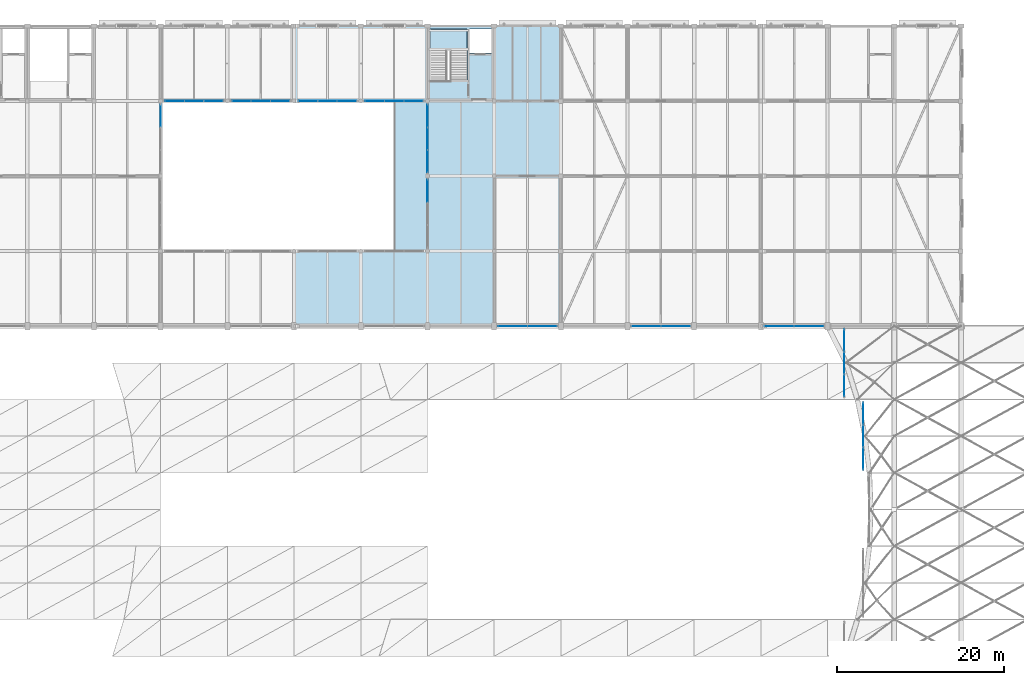
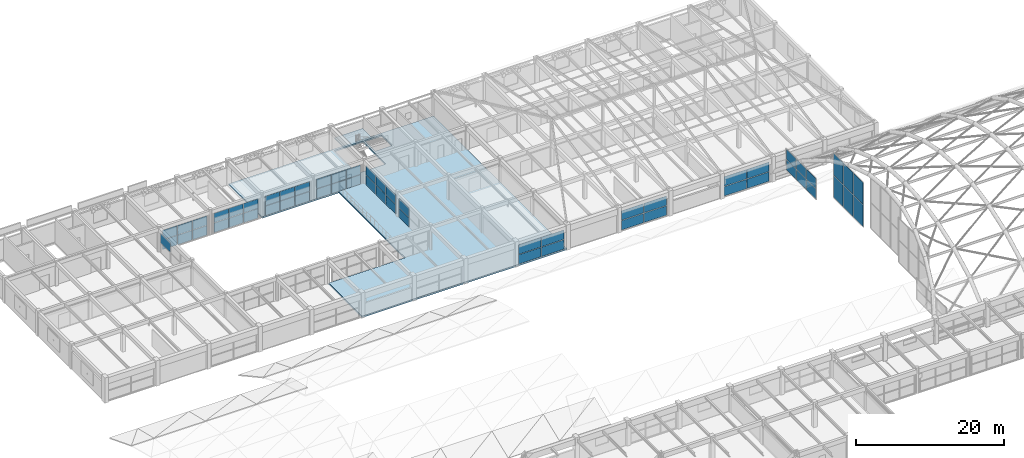
# One storey, part 89 of 126: 57 plates, 2 slabs, 13 elements without a shape of their own.
"""IFC4 building model written with IfcOpenShell, lengths in metres."""

from ifc_helpers import new_model, si_unit, direction, frame, origin, origin_2d, place, context, subcontext, project, spatial, polyline, rectangle, outline, extrude, material, layer, layer_set, type_object, element, aggregate, save


model = new_model("IFC4")

# Units and contexts
model_context = context("Model", 3, precision=1e-05, world=origin(), true_north=direction((0.0, 1.0)))
body_context = subcontext(model_context, "Body", "Model", "MODEL_VIEW")
ifc_project = project(units=[si_unit("LENGTHUNIT", "METRE"), si_unit("AREAUNIT", "SQUARE_METRE"), si_unit("VOLUMEUNIT", "CUBIC_METRE"), si_unit("PLANEANGLEUNIT", "RADIAN"), si_unit("MASSUNIT", "GRAM", prefix="KILO")], contexts=[model_context])

# Site, building, storey
site_placement = place(None, origin())
site = spatial("IfcSite", under=ifc_project, at=site_placement, CompositionType="ELEMENT")
building_placement = place(site_placement, origin())
building = spatial("IfcBuilding", under=site, at=building_placement, Name="Varnabhumi Central Station", CompositionType="ELEMENT")
storey_placement = place(building_placement, frame((0.0, 0.0, 16.199951171875)))
storey = spatial("IfcBuildingStorey", under=building, at=storey_placement, Name="L03", CompositionType="ELEMENT", Elevation=16.199951171875)

# Curtain wall, plates
ifc_material_1 = material(Name="Anodised aluminium 6063-T6", Category="aluminium")
curtain_wall_type_1 = type_object("IfcCurtainWallType", Name="CW-VAULT-ARCH-V5", PredefinedType="NOTDEFINED", material=ifc_material_1)
curtain_wall_1_placement = place(storey_placement, origin())
curtain_wall_1 = element("IfcCurtainWall", 1, at=curtain_wall_1_placement, inside=storey, type_object=curtain_wall_type_1, Name="Curtain Wall CW-V54", PredefinedType="NOTDEFINED")
ifc_material_2 = material(Name="Laminated low-E double glazing", Category="glass")
ifc_layer_1 = layer(ifc_material_2, 0.035888671875, Name="Laminated low-E double glazing", Category="glass")
ifc_layer_set_1 = layer_set([ifc_layer_1], Name="Laminated low-E double glazing")
plate_type_1 = type_object("IfcPlateType", Name="CW-PNL-GLZ-1", PredefinedType="CURTAIN_PANEL", material=ifc_layer_set_1)
plate_1_placement = place(storey_placement, frame((132.284912109375, 64.10009765625, 1.2900390625), z_axis=(0.0, 0.0, 1.0), x_axis=(0.0, 1.0, 0.0)))
plate_1 = element("IfcPlate", 2, at=plate_1_placement, type_object=plate_type_1, Name="Glazed Panel CW-V54-P11", PredefinedType="CURTAIN_PANEL", context=body_context, shape_type="SweptSolid", body=[
    extrude(rectangle(XDim=2.6201171875, YDim=0.035888671875, at=origin_2d()), origin(), (0.0, 0.0, 1.0), 3.595458984375),
])
plate_2_placement = place(storey_placement, frame((132.284912109375, 64.10009765625, 4.96533203125), z_axis=(0.0, 0.0, 1.0), x_axis=(0.0, 1.0, 0.0)))
plate_2 = element("IfcPlate", 3, at=plate_2_placement, type_object=plate_type_1, Name="Glazed Panel CW-V54-P12", PredefinedType="CURTAIN_PANEL", context=body_context, shape_type="SweptSolid", body=[
    extrude(rectangle(XDim=2.6201171875, YDim=0.035888671875, at=origin_2d()), origin(), (0.0, 0.0, 1.0), 3.595458984375),
])
plate_3_placement = place(storey_placement, frame((132.284912109375, 66.800048828125, 1.2900390625), z_axis=(0.0, 0.0, 1.0), x_axis=(0.0, 1.0, 0.0)))
plate_3 = element("IfcPlate", 4, at=plate_3_placement, type_object=plate_type_1, Name="Glazed Panel CW-V54-P21", PredefinedType="CURTAIN_PANEL", context=body_context, shape_type="SweptSolid", body=[
    extrude(rectangle(XDim=2.6201171875, YDim=0.035888671875, at=origin_2d()), origin(), (0.0, 0.0, 1.0), 3.595458984375),
])
plate_4_placement = place(storey_placement, frame((132.284912109375, 66.800048828125, 4.96533203125), z_axis=(0.0, 0.0, 1.0), x_axis=(0.0, 1.0, 0.0)))
plate_4 = element("IfcPlate", 5, at=plate_4_placement, type_object=plate_type_1, Name="Glazed Panel CW-V54-P22", PredefinedType="CURTAIN_PANEL", context=body_context, shape_type="SweptSolid", body=[
    extrude(rectangle(XDim=2.6201171875, YDim=0.035888671875, at=origin_2d()), origin(), (0.0, 0.0, 1.0), 3.595458984375),
])
plate_5_placement = place(storey_placement, frame((132.284912109375, 69.5, 1.2900390625), z_axis=(0.0, 0.0, 1.0), x_axis=(0.0, 1.0, 0.0)))
plate_5 = element("IfcPlate", 6, at=plate_5_placement, type_object=plate_type_1, Name="Glazed Panel CW-V54-P31", PredefinedType="CURTAIN_PANEL", context=body_context, shape_type="SweptSolid", body=[
    extrude(rectangle(XDim=2.6201171875, YDim=0.035888671875, at=origin_2d()), origin(), (0.0, 0.0, 1.0), 3.595458984375),
])
plate_6_placement = place(storey_placement, frame((132.284912109375, 69.5, 4.96533203125), z_axis=(0.0, 0.0, 1.0), x_axis=(0.0, 1.0, 0.0)))
plate_6 = element("IfcPlate", 7, at=plate_6_placement, type_object=plate_type_1, Name="Glazed Panel CW-V54-P32", PredefinedType="CURTAIN_PANEL", context=body_context, shape_type="SweptSolid", body=[
    extrude(rectangle(XDim=2.6201171875, YDim=0.035888671875, at=origin_2d()), origin(), (0.0, 0.0, 1.0), 3.595458984375),
])
aggregate(curtain_wall_1, [plate_1, plate_2, plate_3, plate_4, plate_5, plate_6])

curtain_wall_2_placement = place(storey_placement, origin())
curtain_wall_2 = element("IfcCurtainWall", 8, at=curtain_wall_2_placement, inside=storey, type_object=curtain_wall_type_1, Name="Curtain Wall CW-V55", PredefinedType="NOTDEFINED")
plate_7_placement = place(storey_placement, frame((130.007080078125, 72.89990234375, 1.2900390625), z_axis=(0.0, 0.0, 1.0), x_axis=(0.0, 1.0, 0.0)))
plate_7 = element("IfcPlate", 9, at=plate_7_placement, type_object=plate_type_1, Name="Glazed Panel CW-V55-P11", PredefinedType="CURTAIN_PANEL", context=body_context, shape_type="SweptSolid", body=[
    extrude(rectangle(XDim=2.6201171875, YDim=0.035888671875, at=origin_2d()), origin(), (0.0, 0.0, 1.0), 1.668212890625),
])
plate_8_placement = place(storey_placement, frame((130.007080078125, 72.89990234375, 3.03857421875), z_axis=(0.0, 0.0, 1.0), x_axis=(0.0, 1.0, 0.0)))
plate_8 = element("IfcPlate", 10, at=plate_8_placement, type_object=plate_type_1, Name="Glazed Panel CW-V55-P12", PredefinedType="CURTAIN_PANEL", context=body_context, shape_type="SweptSolid", body=[
    extrude(rectangle(XDim=2.6201171875, YDim=0.035888671875, at=origin_2d()), origin(), (0.0, 0.0, 1.0), 1.668212890625),
])
plate_9_placement = place(storey_placement, frame((130.007080078125, 75.60009765625, 1.2900390625), z_axis=(0.0, 0.0, 1.0), x_axis=(0.0, 1.0, 0.0)))
plate_9 = element("IfcPlate", 11, at=plate_9_placement, type_object=plate_type_1, Name="Glazed Panel CW-V55-P21", PredefinedType="CURTAIN_PANEL", context=body_context, shape_type="SweptSolid", body=[
    extrude(rectangle(XDim=2.6201171875, YDim=0.035888671875, at=origin_2d()), origin(), (0.0, 0.0, 1.0), 1.668212890625),
])
plate_10_placement = place(storey_placement, frame((130.007080078125, 75.60009765625, 3.03857421875), z_axis=(0.0, 0.0, 1.0), x_axis=(0.0, 1.0, 0.0)))
plate_10 = element("IfcPlate", 12, at=plate_10_placement, type_object=plate_type_1, Name="Glazed Panel CW-V55-P22", PredefinedType="CURTAIN_PANEL", context=body_context, shape_type="SweptSolid", body=[
    extrude(rectangle(XDim=2.6201171875, YDim=0.035888671875, at=origin_2d()), origin(), (0.0, 0.0, 1.0), 1.668212890625),
])
plate_11_placement = place(storey_placement, frame((130.007080078125, 78.300048828125, 1.2900390625), z_axis=(0.0, 0.0, 1.0), x_axis=(0.0, 1.0, 0.0)))
plate_11 = element("IfcPlate", 13, at=plate_11_placement, type_object=plate_type_1, Name="Glazed Panel CW-V55-P31", PredefinedType="CURTAIN_PANEL", context=body_context, shape_type="SweptSolid", body=[
    extrude(rectangle(XDim=2.6201171875, YDim=0.035888671875, at=origin_2d()), origin(), (0.0, 0.0, 1.0), 1.668212890625),
])
plate_12_placement = place(storey_placement, frame((130.007080078125, 78.300048828125, 3.03857421875), z_axis=(0.0, 0.0, 1.0), x_axis=(0.0, 1.0, 0.0)))
plate_12 = element("IfcPlate", 14, at=plate_12_placement, type_object=plate_type_1, Name="Glazed Panel CW-V55-P32", PredefinedType="CURTAIN_PANEL", context=body_context, shape_type="SweptSolid", body=[
    extrude(rectangle(XDim=2.6201171875, YDim=0.035888671875, at=origin_2d()), origin(), (0.0, 0.0, 1.0), 1.668212890625),
])
aggregate(curtain_wall_2, [plate_7, plate_8, plate_9, plate_10, plate_11, plate_12])

curtain_wall_type_2 = type_object("IfcCurtainWallType", Name="CW-PATIO-LOGGIA-L3", PredefinedType="NOTDEFINED", material=ifc_material_1)
curtain_wall_3_placement = place(storey_placement, origin())
curtain_wall_3 = element("IfcCurtainWall", 15, at=curtain_wall_3_placement, inside=storey, type_object=curtain_wall_type_2, Name="Curtain Wall CW-NP3W1", PredefinedType="NOTDEFINED")
ifc_layer_2 = layer(ifc_material_2, 0.035888671875, Name="Laminated low-E double glazing", Category="glass")
ifc_layer_set_2 = layer_set([ifc_layer_2], Name="Laminated low-E double glazing")
plate_type_2 = type_object("IfcPlateType", Name="CW-PNL-GLZ-2", PredefinedType="CURTAIN_PANEL", material=ifc_layer_set_2)
plate_13_placement = place(storey_placement, frame((80.0, 96.219970703125, 0.0400390625), z_axis=(0.0, 0.0, 1.0), x_axis=(0.0, 1.0, 0.0)))
plate_13 = element("IfcPlate", 16, at=plate_13_placement, type_object=plate_type_2, Name="Glazed Panel CW-NP3W1-P31", PredefinedType="CURTAIN_PANEL", context=body_context, shape_type="SweptSolid", body=[
    extrude(rectangle(XDim=2.639892578125, YDim=0.035888671875, at=origin_2d()), origin(), (0.0, 0.0, 1.0), 1.5400390625),
])
plate_14_placement = place(storey_placement, frame((80.0, 96.219970703125, 1.659912109375), z_axis=(0.0, 0.0, 1.0), x_axis=(0.0, 1.0, 0.0)))
plate_14 = element("IfcPlate", 17, at=plate_14_placement, type_object=plate_type_2, Name="Glazed Panel CW-NP3W1-P32", PredefinedType="CURTAIN_PANEL", context=body_context, shape_type="SweptSolid", body=[
    extrude(rectangle(XDim=2.639892578125, YDim=0.035888671875, at=origin_2d()), origin(), (0.0, 0.0, 1.0), 1.5400390625),
])
aggregate(curtain_wall_3, [plate_13, plate_14])

# Curtain wall, plate
curtain_wall_4_placement = place(storey_placement, origin())
curtain_wall_4 = element("IfcCurtainWall", 18, at=curtain_wall_4_placement, inside=storey, type_object=curtain_wall_type_2, Name="Curtain Wall CW-NP3E2", PredefinedType="NOTDEFINED")
plate_15_placement = place(storey_placement, frame((48.0, 105.219970703125, 1.659912109375), z_axis=(0.0, 0.0, 1.0), x_axis=(0.0, 1.0, 0.0)))
plate_15 = element("IfcPlate", 19, at=plate_15_placement, type_object=plate_type_2, Name="Glazed Panel CW-NP3E2-P32", PredefinedType="CURTAIN_PANEL", context=body_context, shape_type="SweptSolid", body=[
    extrude(rectangle(XDim=2.639892578125, YDim=0.035888671875, at=origin_2d()), origin(), (0.0, 0.0, 1.0), 1.5400390625),
])
aggregate(curtain_wall_4, [plate_15])

# Curtain wall, plates
curtain_wall_5_placement = place(storey_placement, origin())
curtain_wall_5 = element("IfcCurtainWall", 20, at=curtain_wall_5_placement, inside=storey, type_object=curtain_wall_type_2, Name="Curtain Wall CW-NP3W2", PredefinedType="NOTDEFINED")
plate_16_placement = place(storey_placement, frame((80.0, 99.780029296875, 0.0400390625), z_axis=(0.0, 0.0, 1.0), x_axis=(0.0, 1.0, 0.0)))
plate_16 = element("IfcPlate", 21, at=plate_16_placement, type_object=plate_type_2, Name="Glazed Panel CW-NP3W2-P11", PredefinedType="CURTAIN_PANEL", context=body_context, shape_type="SweptSolid", body=[
    extrude(rectangle(XDim=2.639892578125, YDim=0.035888671875, at=origin_2d()), origin(), (0.0, 0.0, 1.0), 1.5400390625),
])
plate_17_placement = place(storey_placement, frame((80.0, 99.780029296875, 1.659912109375), z_axis=(0.0, 0.0, 1.0), x_axis=(0.0, 1.0, 0.0)))
plate_17 = element("IfcPlate", 22, at=plate_17_placement, type_object=plate_type_2, Name="Glazed Panel CW-NP3W2-P12", PredefinedType="CURTAIN_PANEL", context=body_context, shape_type="SweptSolid", body=[
    extrude(rectangle(XDim=2.639892578125, YDim=0.035888671875, at=origin_2d()), origin(), (0.0, 0.0, 1.0), 1.5400390625),
])
plate_18_placement = place(storey_placement, frame((80.0, 102.5, 0.0400390625), z_axis=(0.0, 0.0, 1.0), x_axis=(0.0, 1.0, 0.0)))
plate_18 = element("IfcPlate", 23, at=plate_18_placement, type_object=plate_type_2, Name="Glazed Panel CW-NP3W2-P21", PredefinedType="CURTAIN_PANEL", context=body_context, shape_type="SweptSolid", body=[
    extrude(rectangle(XDim=2.639892578125, YDim=0.035888671875, at=origin_2d()), origin(), (0.0, 0.0, 1.0), 1.5400390625),
])
plate_19_placement = place(storey_placement, frame((80.0, 102.5, 1.659912109375), z_axis=(0.0, 0.0, 1.0), x_axis=(0.0, 1.0, 0.0)))
plate_19 = element("IfcPlate", 24, at=plate_19_placement, type_object=plate_type_2, Name="Glazed Panel CW-NP3W2-P22", PredefinedType="CURTAIN_PANEL", context=body_context, shape_type="SweptSolid", body=[
    extrude(rectangle(XDim=2.639892578125, YDim=0.035888671875, at=origin_2d()), origin(), (0.0, 0.0, 1.0), 1.5400390625),
])
plate_20_placement = place(storey_placement, frame((80.0, 105.219970703125, 0.0400390625), z_axis=(0.0, 0.0, 1.0), x_axis=(0.0, 1.0, 0.0)))
plate_20 = element("IfcPlate", 25, at=plate_20_placement, type_object=plate_type_2, Name="Glazed Panel CW-NP3W2-P31", PredefinedType="CURTAIN_PANEL", context=body_context, shape_type="SweptSolid", body=[
    extrude(rectangle(XDim=2.639892578125, YDim=0.035888671875, at=origin_2d()), origin(), (0.0, 0.0, 1.0), 1.5400390625),
])
plate_21_placement = place(storey_placement, frame((80.0, 105.219970703125, 1.659912109375), z_axis=(0.0, 0.0, 1.0), x_axis=(0.0, 1.0, 0.0)))
plate_21 = element("IfcPlate", 26, at=plate_21_placement, type_object=plate_type_2, Name="Glazed Panel CW-NP3W2-P32", PredefinedType="CURTAIN_PANEL", context=body_context, shape_type="SweptSolid", body=[
    extrude(rectangle(XDim=2.639892578125, YDim=0.035888671875, at=origin_2d()), origin(), (0.0, 0.0, 1.0), 1.5400390625),
])
aggregate(curtain_wall_5, [plate_16, plate_17, plate_18, plate_19, plate_20, plate_21])

curtain_wall_6_placement = place(storey_placement, origin())
curtain_wall_6 = element("IfcCurtainWall", 27, at=curtain_wall_6_placement, inside=storey, type_object=curtain_wall_type_2, Name="Curtain Wall CW-NP3N1", PredefinedType="NOTDEFINED")
ifc_layer_3 = layer(ifc_material_2, 0.035888671875, Name="Laminated low-E double glazing", Category="glass")
ifc_layer_set_3 = layer_set([ifc_layer_3], Name="Laminated low-E double glazing")
plate_type_3 = type_object("IfcPlateType", Name="CW-PNL-GLZ-4", PredefinedType="CURTAIN_PANEL", material=ifc_layer_set_3)
plate_22_placement = place(storey_placement, frame((49.679931640625, 107.0, 0.0400390625), z_axis=(0.0, 0.0, 1.0), x_axis=(1.0, 0.0, 0.0)))
plate_22 = element("IfcPlate", 28, at=plate_22_placement, type_object=plate_type_3, Name="Glazed Panel CW-NP3N1-P11", PredefinedType="CURTAIN_PANEL", context=body_context, shape_type="SweptSolid", body=[
    extrude(rectangle(XDim=2.239990234375, YDim=0.035888671875, at=origin_2d()), origin(), (0.0, 0.0, 1.0), 1.5400390625),
])
plate_23_placement = place(storey_placement, frame((49.679931640625, 107.0, 1.659912109375), z_axis=(0.0, 0.0, 1.0), x_axis=(1.0, 0.0, 0.0)))
plate_23 = element("IfcPlate", 29, at=plate_23_placement, type_object=plate_type_3, Name="Glazed Panel CW-NP3N1-P12", PredefinedType="CURTAIN_PANEL", context=body_context, shape_type="SweptSolid", body=[
    extrude(rectangle(XDim=2.239990234375, YDim=0.035888671875, at=origin_2d()), origin(), (0.0, 0.0, 1.0), 1.5400390625),
])
plate_24_placement = place(storey_placement, frame((52.0, 107.0, 0.0400390625), z_axis=(0.0, 0.0, 1.0), x_axis=(1.0, 0.0, 0.0)))
plate_24 = element("IfcPlate", 30, at=plate_24_placement, type_object=plate_type_3, Name="Glazed Panel CW-NP3N1-P21", PredefinedType="CURTAIN_PANEL", context=body_context, shape_type="SweptSolid", body=[
    extrude(rectangle(XDim=2.239990234375, YDim=0.035888671875, at=origin_2d()), origin(), (0.0, 0.0, 1.0), 1.5400390625),
])
plate_25_placement = place(storey_placement, frame((52.0, 107.0, 1.659912109375), z_axis=(0.0, 0.0, 1.0), x_axis=(1.0, 0.0, 0.0)))
plate_25 = element("IfcPlate", 31, at=plate_25_placement, type_object=plate_type_3, Name="Glazed Panel CW-NP3N1-P22", PredefinedType="CURTAIN_PANEL", context=body_context, shape_type="SweptSolid", body=[
    extrude(rectangle(XDim=2.239990234375, YDim=0.035888671875, at=origin_2d()), origin(), (0.0, 0.0, 1.0), 1.5400390625),
])
plate_26_placement = place(storey_placement, frame((54.320068359375, 107.0, 0.0400390625), z_axis=(0.0, 0.0, 1.0), x_axis=(1.0, 0.0, 0.0)))
plate_26 = element("IfcPlate", 32, at=plate_26_placement, type_object=plate_type_3, Name="Glazed Panel CW-NP3N1-P31", PredefinedType="CURTAIN_PANEL", context=body_context, shape_type="SweptSolid", body=[
    extrude(rectangle(XDim=2.239990234375, YDim=0.035888671875, at=origin_2d()), origin(), (0.0, 0.0, 1.0), 1.5400390625),
])
plate_27_placement = place(storey_placement, frame((54.320068359375, 107.0, 1.659912109375), z_axis=(0.0, 0.0, 1.0), x_axis=(1.0, 0.0, 0.0)))
plate_27 = element("IfcPlate", 33, at=plate_27_placement, type_object=plate_type_3, Name="Glazed Panel CW-NP3N1-P32", PredefinedType="CURTAIN_PANEL", context=body_context, shape_type="SweptSolid", body=[
    extrude(rectangle(XDim=2.239990234375, YDim=0.035888671875, at=origin_2d()), origin(), (0.0, 0.0, 1.0), 1.5400390625),
])
aggregate(curtain_wall_6, [plate_22, plate_23, plate_24, plate_25, plate_26, plate_27])

curtain_wall_type_3 = type_object("IfcCurtainWallType", Name="CW-SPINE-SCREEN-L0", PredefinedType="NOTDEFINED", material=ifc_material_1)
curtain_wall_7_placement = place(storey_placement, origin())
curtain_wall_7 = element("IfcCurtainWall", 34, at=curtain_wall_7_placement, inside=storey, type_object=curtain_wall_type_3, Name="Curtain Wall CW-NS308", PredefinedType="NOTDEFINED")
ifc_layer_4 = layer(ifc_material_2, 0.035888671875, Name="Laminated low-E double glazing", Category="glass")
ifc_layer_set_4 = layer_set([ifc_layer_4], Name="Laminated low-E double glazing")
plate_type_4 = type_object("IfcPlateType", Name="CW-PNL-GLZ-5", PredefinedType="CURTAIN_PANEL", material=ifc_layer_set_4)
plate_28_placement = place(storey_placement, frame((90.22509765625, 80.0, 0.0400390625), z_axis=(0.0, 0.0, 1.0), x_axis=(1.0, 0.0, 0.0)))
plate_28 = element("IfcPlate", 35, at=plate_28_placement, type_object=plate_type_4, Name="Glazed Panel CW-NS308-P11", PredefinedType="CURTAIN_PANEL", context=body_context, shape_type="SweptSolid", body=[
    extrude(rectangle(XDim=3.469970703125, YDim=0.035888671875, at=origin_2d()), origin(), (0.0, 0.0, 1.0), 1.5400390625),
])
plate_29_placement = place(storey_placement, frame((90.22509765625, 80.0, 1.659912109375), z_axis=(0.0, 0.0, 1.0), x_axis=(1.0, 0.0, 0.0)))
plate_29 = element("IfcPlate", 36, at=plate_29_placement, type_object=plate_type_4, Name="Glazed Panel CW-NS308-P12", PredefinedType="CURTAIN_PANEL", context=body_context, shape_type="SweptSolid", body=[
    extrude(rectangle(XDim=3.469970703125, YDim=0.035888671875, at=origin_2d()), origin(), (0.0, 0.0, 1.0), 1.5400390625),
])
plate_30_placement = place(storey_placement, frame((93.77490234375, 80.0, 0.0400390625), z_axis=(0.0, 0.0, 1.0), x_axis=(1.0, 0.0, 0.0)))
plate_30 = element("IfcPlate", 37, at=plate_30_placement, type_object=plate_type_4, Name="Glazed Panel CW-NS308-P21", PredefinedType="CURTAIN_PANEL", context=body_context, shape_type="SweptSolid", body=[
    extrude(rectangle(XDim=3.469970703125, YDim=0.035888671875, at=origin_2d()), origin(), (0.0, 0.0, 1.0), 1.5400390625),
])
plate_31_placement = place(storey_placement, frame((93.77490234375, 80.0, 1.659912109375), z_axis=(0.0, 0.0, 1.0), x_axis=(1.0, 0.0, 0.0)))
plate_31 = element("IfcPlate", 38, at=plate_31_placement, type_object=plate_type_4, Name="Glazed Panel CW-NS308-P22", PredefinedType="CURTAIN_PANEL", context=body_context, shape_type="SweptSolid", body=[
    extrude(rectangle(XDim=3.469970703125, YDim=0.035888671875, at=origin_2d()), origin(), (0.0, 0.0, 1.0), 1.5400390625),
])
aggregate(curtain_wall_7, [plate_28, plate_29, plate_30, plate_31])

curtain_wall_8_placement = place(storey_placement, origin())
curtain_wall_8 = element("IfcCurtainWall", 39, at=curtain_wall_8_placement, inside=storey, type_object=curtain_wall_type_3, Name="Curtain Wall CW-NS310", PredefinedType="NOTDEFINED")
plate_32_placement = place(storey_placement, frame((106.22509765625, 80.0, 0.0400390625), z_axis=(0.0, 0.0, 1.0), x_axis=(1.0, 0.0, 0.0)))
plate_32 = element("IfcPlate", 40, at=plate_32_placement, type_object=plate_type_4, Name="Glazed Panel CW-NS310-P11", PredefinedType="CURTAIN_PANEL", context=body_context, shape_type="SweptSolid", body=[
    extrude(rectangle(XDim=3.469970703125, YDim=0.035888671875, at=origin_2d()), origin(), (0.0, 0.0, 1.0), 1.5400390625),
])
plate_33_placement = place(storey_placement, frame((106.22509765625, 80.0, 1.659912109375), z_axis=(0.0, 0.0, 1.0), x_axis=(1.0, 0.0, 0.0)))
plate_33 = element("IfcPlate", 41, at=plate_33_placement, type_object=plate_type_4, Name="Glazed Panel CW-NS310-P12", PredefinedType="CURTAIN_PANEL", context=body_context, shape_type="SweptSolid", body=[
    extrude(rectangle(XDim=3.469970703125, YDim=0.035888671875, at=origin_2d()), origin(), (0.0, 0.0, 1.0), 1.5400390625),
])
plate_34_placement = place(storey_placement, frame((109.77490234375, 80.0, 0.0400390625), z_axis=(0.0, 0.0, 1.0), x_axis=(1.0, 0.0, 0.0)))
plate_34 = element("IfcPlate", 42, at=plate_34_placement, type_object=plate_type_4, Name="Glazed Panel CW-NS310-P21", PredefinedType="CURTAIN_PANEL", context=body_context, shape_type="SweptSolid", body=[
    extrude(rectangle(XDim=3.469970703125, YDim=0.035888671875, at=origin_2d()), origin(), (0.0, 0.0, 1.0), 1.5400390625),
])
plate_35_placement = place(storey_placement, frame((109.77490234375, 80.0, 1.659912109375), z_axis=(0.0, 0.0, 1.0), x_axis=(1.0, 0.0, 0.0)))
plate_35 = element("IfcPlate", 43, at=plate_35_placement, type_object=plate_type_4, Name="Glazed Panel CW-NS310-P22", PredefinedType="CURTAIN_PANEL", context=body_context, shape_type="SweptSolid", body=[
    extrude(rectangle(XDim=3.469970703125, YDim=0.035888671875, at=origin_2d()), origin(), (0.0, 0.0, 1.0), 1.5400390625),
])
aggregate(curtain_wall_8, [plate_32, plate_33, plate_34, plate_35])

curtain_wall_9_placement = place(storey_placement, origin())
curtain_wall_9 = element("IfcCurtainWall", 44, at=curtain_wall_9_placement, inside=storey, type_object=curtain_wall_type_3, Name="Curtain Wall CW-NS312", PredefinedType="NOTDEFINED")
plate_36_placement = place(storey_placement, frame((122.22509765625, 80.0, 0.0400390625), z_axis=(0.0, 0.0, 1.0), x_axis=(1.0, 0.0, 0.0)))
plate_36 = element("IfcPlate", 45, at=plate_36_placement, type_object=plate_type_4, Name="Glazed Panel CW-NS312-P11", PredefinedType="CURTAIN_PANEL", context=body_context, shape_type="SweptSolid", body=[
    extrude(rectangle(XDim=3.469970703125, YDim=0.035888671875, at=origin_2d()), origin(), (0.0, 0.0, 1.0), 1.5400390625),
])
plate_37_placement = place(storey_placement, frame((122.22509765625, 80.0, 1.659912109375), z_axis=(0.0, 0.0, 1.0), x_axis=(1.0, 0.0, 0.0)))
plate_37 = element("IfcPlate", 46, at=plate_37_placement, type_object=plate_type_4, Name="Glazed Panel CW-NS312-P12", PredefinedType="CURTAIN_PANEL", context=body_context, shape_type="SweptSolid", body=[
    extrude(rectangle(XDim=3.469970703125, YDim=0.035888671875, at=origin_2d()), origin(), (0.0, 0.0, 1.0), 1.5400390625),
])
plate_38_placement = place(storey_placement, frame((125.77490234375, 80.0, 0.0400390625), z_axis=(0.0, 0.0, 1.0), x_axis=(1.0, 0.0, 0.0)))
plate_38 = element("IfcPlate", 47, at=plate_38_placement, type_object=plate_type_4, Name="Glazed Panel CW-NS312-P21", PredefinedType="CURTAIN_PANEL", context=body_context, shape_type="SweptSolid", body=[
    extrude(rectangle(XDim=3.469970703125, YDim=0.035888671875, at=origin_2d()), origin(), (0.0, 0.0, 1.0), 1.5400390625),
])
plate_39_placement = place(storey_placement, frame((125.77490234375, 80.0, 1.659912109375), z_axis=(0.0, 0.0, 1.0), x_axis=(1.0, 0.0, 0.0)))
plate_39 = element("IfcPlate", 48, at=plate_39_placement, type_object=plate_type_4, Name="Glazed Panel CW-NS312-P22", PredefinedType="CURTAIN_PANEL", context=body_context, shape_type="SweptSolid", body=[
    extrude(rectangle(XDim=3.469970703125, YDim=0.035888671875, at=origin_2d()), origin(), (0.0, 0.0, 1.0), 1.5400390625),
])
aggregate(curtain_wall_9, [plate_36, plate_37, plate_38, plate_39])

curtain_wall_10_placement = place(storey_placement, origin())
curtain_wall_10 = element("IfcCurtainWall", 49, at=curtain_wall_10_placement, inside=storey, type_object=curtain_wall_type_2, Name="Curtain Wall CW-NP3N2", PredefinedType="NOTDEFINED")
plate_40_placement = place(storey_placement, frame((57.679931640625, 107.0, 0.0400390625), z_axis=(0.0, 0.0, 1.0), x_axis=(1.0, 0.0, 0.0)))
plate_40 = element("IfcPlate", 50, at=plate_40_placement, type_object=plate_type_4, Name="Glazed Panel CW-NP3N2-P11", PredefinedType="CURTAIN_PANEL", context=body_context, shape_type="SweptSolid", body=[
    extrude(rectangle(XDim=2.239990234375, YDim=0.035888671875, at=origin_2d()), origin(), (0.0, 0.0, 1.0), 1.5400390625),
])
plate_41_placement = place(storey_placement, frame((57.679931640625, 107.0, 1.659912109375), z_axis=(0.0, 0.0, 1.0), x_axis=(1.0, 0.0, 0.0)))
plate_41 = element("IfcPlate", 51, at=plate_41_placement, type_object=plate_type_4, Name="Glazed Panel CW-NP3N2-P12", PredefinedType="CURTAIN_PANEL", context=body_context, shape_type="SweptSolid", body=[
    extrude(rectangle(XDim=2.239990234375, YDim=0.035888671875, at=origin_2d()), origin(), (0.0, 0.0, 1.0), 1.5400390625),
])
plate_42_placement = place(storey_placement, frame((60.0, 107.0, 0.0400390625), z_axis=(0.0, 0.0, 1.0), x_axis=(1.0, 0.0, 0.0)))
plate_42 = element("IfcPlate", 52, at=plate_42_placement, type_object=plate_type_4, Name="Glazed Panel CW-NP3N2-P21", PredefinedType="CURTAIN_PANEL", context=body_context, shape_type="SweptSolid", body=[
    extrude(rectangle(XDim=2.239990234375, YDim=0.035888671875, at=origin_2d()), origin(), (0.0, 0.0, 1.0), 1.5400390625),
])
plate_43_placement = place(storey_placement, frame((60.0, 107.0, 1.659912109375), z_axis=(0.0, 0.0, 1.0), x_axis=(1.0, 0.0, 0.0)))
plate_43 = element("IfcPlate", 53, at=plate_43_placement, type_object=plate_type_4, Name="Glazed Panel CW-NP3N2-P22", PredefinedType="CURTAIN_PANEL", context=body_context, shape_type="SweptSolid", body=[
    extrude(rectangle(XDim=2.239990234375, YDim=0.035888671875, at=origin_2d()), origin(), (0.0, 0.0, 1.0), 1.5400390625),
])
plate_44_placement = place(storey_placement, frame((62.320068359375, 107.0, 0.0400390625), z_axis=(0.0, 0.0, 1.0), x_axis=(1.0, 0.0, 0.0)))
plate_44 = element("IfcPlate", 54, at=plate_44_placement, type_object=plate_type_4, Name="Glazed Panel CW-NP3N2-P31", PredefinedType="CURTAIN_PANEL", context=body_context, shape_type="SweptSolid", body=[
    extrude(rectangle(XDim=2.239990234375, YDim=0.035888671875, at=origin_2d()), origin(), (0.0, 0.0, 1.0), 1.5400390625),
])
plate_45_placement = place(storey_placement, frame((62.320068359375, 107.0, 1.659912109375), z_axis=(0.0, 0.0, 1.0), x_axis=(1.0, 0.0, 0.0)))
plate_45 = element("IfcPlate", 55, at=plate_45_placement, type_object=plate_type_4, Name="Glazed Panel CW-NP3N2-P32", PredefinedType="CURTAIN_PANEL", context=body_context, shape_type="SweptSolid", body=[
    extrude(rectangle(XDim=2.239990234375, YDim=0.035888671875, at=origin_2d()), origin(), (0.0, 0.0, 1.0), 1.5400390625),
])
aggregate(curtain_wall_10, [plate_40, plate_41, plate_42, plate_43, plate_44, plate_45])

curtain_wall_11_placement = place(storey_placement, origin())
curtain_wall_11 = element("IfcCurtainWall", 56, at=curtain_wall_11_placement, inside=storey, type_object=curtain_wall_type_2, Name="Curtain Wall CW-NP3N3", PredefinedType="NOTDEFINED")
ifc_layer_5 = layer(ifc_material_2, 0.035888671875, Name="Laminated low-E double glazing", Category="glass")
ifc_layer_set_5 = layer_set([ifc_layer_5], Name="Laminated low-E double glazing")
plate_type_5 = type_object("IfcPlateType", Name="CW-PNL-GLZ-6", PredefinedType="CURTAIN_PANEL", material=ifc_layer_set_5)
plate_46_placement = place(storey_placement, frame((65.679931640625, 107.0, 0.0400390625), z_axis=(0.0, 0.0, 1.0), x_axis=(1.0, 0.0, 0.0)))
plate_46 = element("IfcPlate", 57, at=plate_46_placement, type_object=plate_type_5, Name="Glazed Panel CW-NP3N3-P11", PredefinedType="CURTAIN_PANEL", context=body_context, shape_type="SweptSolid", body=[
    extrude(rectangle(XDim=2.239990234375, YDim=0.035888671875, at=origin_2d()), origin(), (0.0, 0.0, 1.0), 1.5400390625),
])
plate_47_placement = place(storey_placement, frame((65.679931640625, 107.0, 1.659912109375), z_axis=(0.0, 0.0, 1.0), x_axis=(1.0, 0.0, 0.0)))
plate_47 = element("IfcPlate", 58, at=plate_47_placement, type_object=plate_type_5, Name="Glazed Panel CW-NP3N3-P12", PredefinedType="CURTAIN_PANEL", context=body_context, shape_type="SweptSolid", body=[
    extrude(rectangle(XDim=2.239990234375, YDim=0.035888671875, at=origin_2d()), origin(), (0.0, 0.0, 1.0), 1.5400390625),
])
plate_48_placement = place(storey_placement, frame((68.0, 107.0, 0.0400390625), z_axis=(0.0, 0.0, 1.0), x_axis=(1.0, 0.0, 0.0)))
plate_48 = element("IfcPlate", 59, at=plate_48_placement, type_object=plate_type_5, Name="Glazed Panel CW-NP3N3-P21", PredefinedType="CURTAIN_PANEL", context=body_context, shape_type="SweptSolid", body=[
    extrude(rectangle(XDim=2.239990234375, YDim=0.035888671875, at=origin_2d()), origin(), (0.0, 0.0, 1.0), 1.5400390625),
])
plate_49_placement = place(storey_placement, frame((68.0, 107.0, 1.659912109375), z_axis=(0.0, 0.0, 1.0), x_axis=(1.0, 0.0, 0.0)))
plate_49 = element("IfcPlate", 60, at=plate_49_placement, type_object=plate_type_5, Name="Glazed Panel CW-NP3N3-P22", PredefinedType="CURTAIN_PANEL", context=body_context, shape_type="SweptSolid", body=[
    extrude(rectangle(XDim=2.239990234375, YDim=0.035888671875, at=origin_2d()), origin(), (0.0, 0.0, 1.0), 1.5400390625),
])
plate_50_placement = place(storey_placement, frame((70.320068359375, 107.0, 0.0400390625), z_axis=(0.0, 0.0, 1.0), x_axis=(1.0, 0.0, 0.0)))
plate_50 = element("IfcPlate", 61, at=plate_50_placement, type_object=plate_type_5, Name="Glazed Panel CW-NP3N3-P31", PredefinedType="CURTAIN_PANEL", context=body_context, shape_type="SweptSolid", body=[
    extrude(rectangle(XDim=2.239990234375, YDim=0.035888671875, at=origin_2d()), origin(), (0.0, 0.0, 1.0), 1.5400390625),
])
plate_51_placement = place(storey_placement, frame((70.320068359375, 107.0, 1.659912109375), z_axis=(0.0, 0.0, 1.0), x_axis=(1.0, 0.0, 0.0)))
plate_51 = element("IfcPlate", 62, at=plate_51_placement, type_object=plate_type_5, Name="Glazed Panel CW-NP3N3-P32", PredefinedType="CURTAIN_PANEL", context=body_context, shape_type="SweptSolid", body=[
    extrude(rectangle(XDim=2.239990234375, YDim=0.035888671875, at=origin_2d()), origin(), (0.0, 0.0, 1.0), 1.5400390625),
])
aggregate(curtain_wall_11, [plate_46, plate_47, plate_48, plate_49, plate_50, plate_51])

curtain_wall_12_placement = place(storey_placement, origin())
curtain_wall_12 = element("IfcCurtainWall", 63, at=curtain_wall_12_placement, inside=storey, type_object=curtain_wall_type_2, Name="Curtain Wall CW-NP3N4", PredefinedType="NOTDEFINED")
ifc_layer_6 = layer(ifc_material_2, 0.035888671875, Name="Laminated low-E double glazing", Category="glass")
ifc_layer_set_6 = layer_set([ifc_layer_6], Name="Laminated low-E double glazing")
plate_type_6 = type_object("IfcPlateType", Name="CW-PNL-GLZ-7", PredefinedType="CURTAIN_PANEL", material=ifc_layer_set_6)
plate_52_placement = place(storey_placement, frame((73.679931640625, 107.0, 0.0400390625), z_axis=(0.0, 0.0, 1.0), x_axis=(1.0, 0.0, 0.0)))
plate_52 = element("IfcPlate", 64, at=plate_52_placement, type_object=plate_type_6, Name="Glazed Panel CW-NP3N4-P11", PredefinedType="CURTAIN_PANEL", context=body_context, shape_type="SweptSolid", body=[
    extrude(rectangle(XDim=2.239990234375, YDim=0.035888671875, at=origin_2d()), origin(), (0.0, 0.0, 1.0), 1.5400390625),
])
plate_53_placement = place(storey_placement, frame((73.679931640625, 107.0, 1.659912109375), z_axis=(0.0, 0.0, 1.0), x_axis=(1.0, 0.0, 0.0)))
plate_53 = element("IfcPlate", 65, at=plate_53_placement, type_object=plate_type_6, Name="Glazed Panel CW-NP3N4-P12", PredefinedType="CURTAIN_PANEL", context=body_context, shape_type="SweptSolid", body=[
    extrude(rectangle(XDim=2.239990234375, YDim=0.035888671875, at=origin_2d()), origin(), (0.0, 0.0, 1.0), 1.5400390625),
])
plate_54_placement = place(storey_placement, frame((76.0, 107.0, 0.0400390625), z_axis=(0.0, 0.0, 1.0), x_axis=(1.0, 0.0, 0.0)))
plate_54 = element("IfcPlate", 66, at=plate_54_placement, type_object=plate_type_6, Name="Glazed Panel CW-NP3N4-P21", PredefinedType="CURTAIN_PANEL", context=body_context, shape_type="SweptSolid", body=[
    extrude(rectangle(XDim=2.239990234375, YDim=0.035888671875, at=origin_2d()), origin(), (0.0, 0.0, 1.0), 1.5400390625),
])
plate_55_placement = place(storey_placement, frame((76.0, 107.0, 1.659912109375), z_axis=(0.0, 0.0, 1.0), x_axis=(1.0, 0.0, 0.0)))
plate_55 = element("IfcPlate", 67, at=plate_55_placement, type_object=plate_type_6, Name="Glazed Panel CW-NP3N4-P22", PredefinedType="CURTAIN_PANEL", context=body_context, shape_type="SweptSolid", body=[
    extrude(rectangle(XDim=2.239990234375, YDim=0.035888671875, at=origin_2d()), origin(), (0.0, 0.0, 1.0), 1.5400390625),
])
plate_56_placement = place(storey_placement, frame((78.320068359375, 107.0, 0.0400390625), z_axis=(0.0, 0.0, 1.0), x_axis=(1.0, 0.0, 0.0)))
plate_56 = element("IfcPlate", 68, at=plate_56_placement, type_object=plate_type_6, Name="Glazed Panel CW-NP3N4-P31", PredefinedType="CURTAIN_PANEL", context=body_context, shape_type="SweptSolid", body=[
    extrude(rectangle(XDim=2.239990234375, YDim=0.035888671875, at=origin_2d()), origin(), (0.0, 0.0, 1.0), 1.5400390625),
])
plate_57_placement = place(storey_placement, frame((78.320068359375, 107.0, 1.659912109375), z_axis=(0.0, 0.0, 1.0), x_axis=(1.0, 0.0, 0.0)))
plate_57 = element("IfcPlate", 69, at=plate_57_placement, type_object=plate_type_6, Name="Glazed Panel CW-NP3N4-P32", PredefinedType="CURTAIN_PANEL", context=body_context, shape_type="SweptSolid", body=[
    extrude(rectangle(XDim=2.239990234375, YDim=0.035888671875, at=origin_2d()), origin(), (0.0, 0.0, 1.0), 1.5400390625),
])
aggregate(curtain_wall_12, [plate_52, plate_53, plate_54, plate_55, plate_56, plate_57])

# Stair, slab
ifc_material_3 = material(Name="Concrete M40", Category="concrete")
stair_type = type_object("IfcStairType", Name="STR-CORE-4200", PredefinedType="DOUBLE_RETURN_STAIR", material=ifc_material_3)
stair_placement = place(storey_placement, origin())
stair = element("IfcStair", 70, at=stair_placement, inside=storey, type_object=stair_type, Name="Core Stair ST-N2 (L03)", PredefinedType="DOUBLE_RETURN_STAIR")
ifc_layer_7 = layer(ifc_material_3, 0.179931640625, Name="Concrete M40", Category="concrete")
ifc_layer_set_7 = layer_set([ifc_layer_7], Name="Concrete M40")
slab_type_1 = type_object("IfcSlabType", Name="SLB-STAIR-LAND", PredefinedType="LANDING", material=ifc_layer_set_7)
slab_1_placement = place(storey_placement, frame((0.0, 0.0, 1.920166015625)))
slab_1 = element("IfcSlab", 71, at=slab_1_placement, type_object=slab_type_1, Name="ST-N2 L03 Half Landing", PredefinedType="LANDING", context=body_context, shape_type="SweptSolid", body=[
    extrude(outline(polyline([(80.340087890625, 113.044921875), (84.760009765625, 113.044921875), (84.760009765625, 115.639892578125), (80.340087890625, 115.639892578125), (80.340087890625, 113.044921875)])), origin(), (0.0, 0.0, 1.0), 0.179931640625),
])
aggregate(stair, [slab_1])

# Slab
ifc_layer_8 = layer(ifc_material_3, 0.25, Name="Concrete M40", Category="concrete")
ifc_layer_set_8 = layer_set([ifc_layer_8], Name="Concrete M40")
slab_type_2 = type_object("IfcSlabType", Name="SLB-WING-250", PredefinedType="FLOOR", material=ifc_layer_set_8)
slab_2_placement = place(storey_placement, frame((0.0, 0.0, -0.25)))
element("IfcSlab", 72, at=slab_2_placement, inside=storey, type_object=slab_type_2, Name="North Wing L03 Floor Slab Zone 2", PredefinedType="FLOOR", context=body_context, shape_type="SweptSolid", body=[
    extrude(outline(polyline([(64.06005859375, 80.0), (96.0, 80.0), (96.0, 116.0), (64.06005859375, 116.0), (64.06005859375, 107.0), (76.0, 107.0), (76.0, 89.0), (64.06005859375, 89.0), (64.06005859375, 80.0)]), holes=[polyline([(80.330078125, 109.419921875), (84.760009765625, 109.419921875), (84.760009765625, 115.64990234375), (80.330078125, 115.64990234375), (80.330078125, 109.419921875)]), polyline([(85.0400390625, 112.75), (87.669921875, 112.75), (87.669921875, 115.64990234375), (85.0400390625, 115.64990234375), (85.0400390625, 112.75)])]), origin(), (0.0, 0.0, 1.0), 0.25),
])

save(model, "model.ifc")
